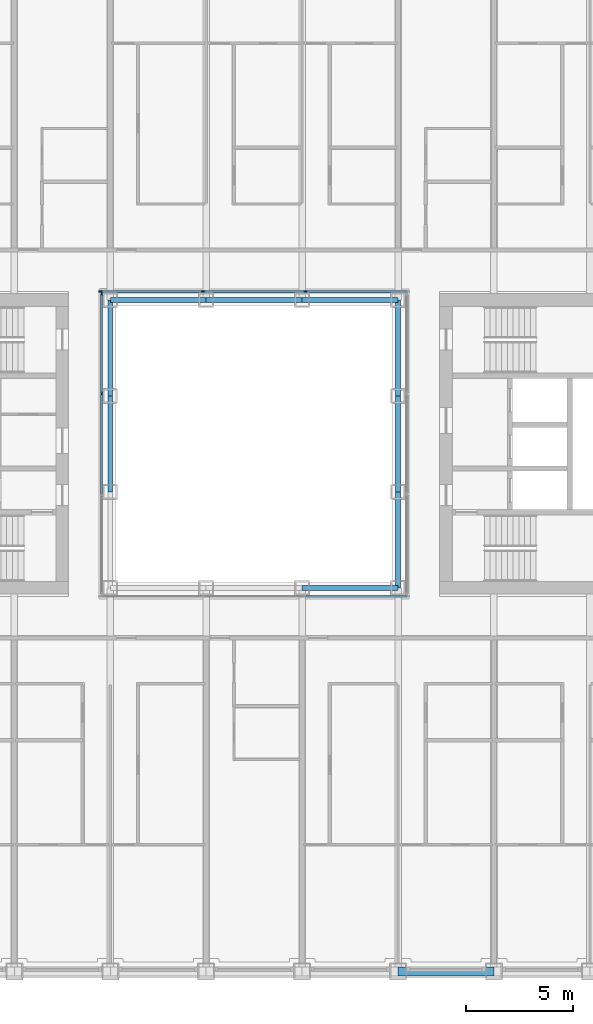
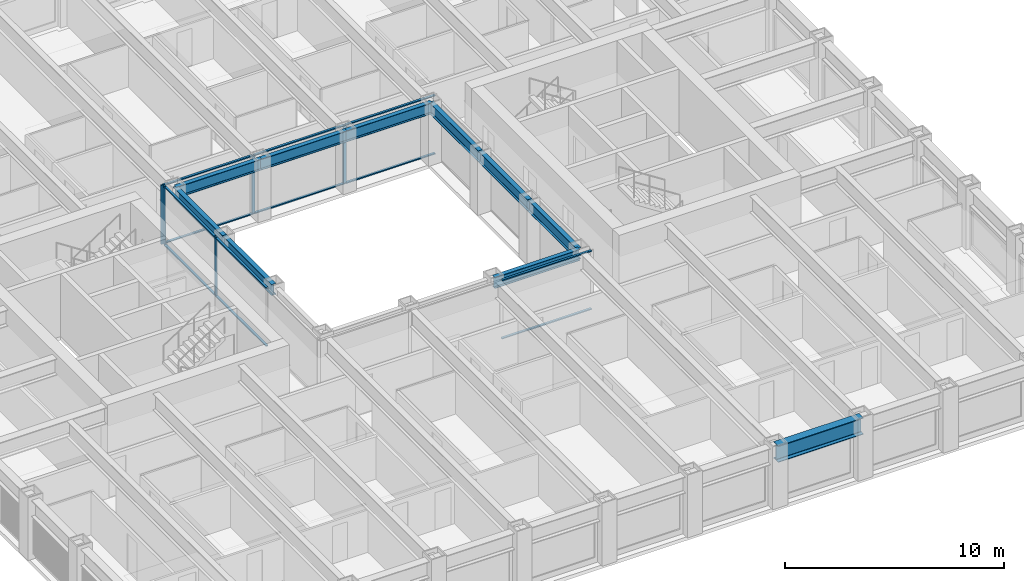
# One storey, part 4 of 20: 17 members, 10 beams, 3 elements without a shape of their own.
"""IFC4 building model written with IfcOpenShell, lengths in metres."""

from ifc_helpers import new_model, si_unit, direction, frame, origin, origin_2d, place, context, subcontext, project, spatial, rectangle, i_section, extrude, material, material_profile, profile_set, type_object, element, aggregate, save


model = new_model("IFC4")

# Units and contexts
model_context = context("Model", 3, precision=1e-05, world=origin(), true_north=direction((0.0, 1.0)))
body_context = subcontext(model_context, "Body", "Model", "MODEL_VIEW")
ifc_project = project(units=[si_unit("LENGTHUNIT", "METRE"), si_unit("AREAUNIT", "SQUARE_METRE"), si_unit("VOLUMEUNIT", "CUBIC_METRE"), si_unit("PLANEANGLEUNIT", "RADIAN"), si_unit("MASSUNIT", "GRAM", prefix="KILO")], contexts=[model_context])

# Site, building, storey
site_placement = place(None, origin())
site = spatial("IfcSite", under=ifc_project, at=site_placement, CompositionType="ELEMENT")
building_placement = place(site_placement, origin())
building = spatial("IfcBuilding", under=site, at=building_placement, Name="Msasa Ring Tower", CompositionType="ELEMENT")
storey_placement = place(building_placement, frame((0.0, 0.0, 65.0)))
storey = spatial("IfcBuildingStorey", under=building, at=storey_placement, Name="L16", CompositionType="ELEMENT", Elevation=65.0)

# Curtain wall, members
ifc_material_1 = material(Name="Aluminium curtain wall with clear glass", Category="aluminium")
curtain_wall_type = type_object("IfcCurtainWallType", Name="CW-W LIGHT WELL CURTAIN WALL", PredefinedType="NOTDEFINED", material=ifc_material_1)
curtain_wall_1_placement = place(storey_placement, origin())
curtain_wall_1 = element("IfcCurtainWall", 1, at=curtain_wall_1_placement, inside=storey, type_object=curtain_wall_type, Name="Light well curtain wall N L16", PredefinedType="NOTDEFINED")
ifc_material_2 = material(Name="Aluminium mullion", Category="aluminium")
ifc_material_profile_1 = material_profile(ifc_material_2, rectangle(XDim=0.06005859375, YDim=0.159912109375, at=origin_2d()), Name="AL 60x160")
ifc_profile_set_1 = profile_set([ifc_material_profile_1], Name="Aluminium mullion")
member_type_1 = type_object("IfcMemberType", Name="CW-W MULLION 60x160", PredefinedType="MULLION", material=ifc_profile_set_1)
member_1_placement = place(storey_placement, frame((-7.199951171875, 7.14990234375, 0.0), z_axis=(0.0, 0.0, 1.0), x_axis=(0.0, 1.0, 0.0)))
member_1 = element("IfcMember", 2, at=member_1_placement, type_object=member_type_1, Name="CW-W mullion 1", PredefinedType="MULLION", context=body_context, shape_type="SweptSolid", body=[
    extrude(rectangle(XDim=0.06005859375, YDim=0.159912109375, at=origin_2d()), origin(), (0.0, 0.0, 1.0), 3.300048828125),
])
member_2_placement = place(storey_placement, frame((-2.409912109375, 7.14990234375, 0.0), z_axis=(0.0, 0.0, 1.0), x_axis=(0.0, 1.0, 0.0)))
member_2 = element("IfcMember", 3, at=member_2_placement, type_object=member_type_1, Name="CW-W mullion 2", PredefinedType="MULLION", context=body_context, shape_type="SweptSolid", body=[
    extrude(rectangle(XDim=0.06005859375, YDim=0.159912109375, at=origin_2d()), origin(), (0.0, 0.0, 1.0), 3.300048828125),
])
member_3_placement = place(storey_placement, frame((2.409912109375, 7.14990234375, 0.0), z_axis=(0.0, 0.0, 1.0), x_axis=(0.0, 1.0, 0.0)))
member_3 = element("IfcMember", 4, at=member_3_placement, type_object=member_type_1, Name="CW-W mullion 3", PredefinedType="MULLION", context=body_context, shape_type="SweptSolid", body=[
    extrude(rectangle(XDim=0.06005859375, YDim=0.159912109375, at=origin_2d()), origin(), (0.0, 0.0, 1.0), 3.300048828125),
])

curtain_wall_2_placement = place(storey_placement, origin())
curtain_wall_2 = element("IfcCurtainWall", 5, at=curtain_wall_2_placement, inside=storey, type_object=curtain_wall_type, Name="Light well curtain wall W L16", PredefinedType="NOTDEFINED")
member_4_placement = place(storey_placement, frame((-7.14990234375, 2.356689453125, 0.0), z_axis=(0.0, 0.0, 1.0), x_axis=(-1.0, 0.0, 0.0)))
member_4 = element("IfcMember", 6, at=member_4_placement, type_object=member_type_1, Name="CW-W mullion 3", PredefinedType="MULLION", context=body_context, shape_type="SweptSolid", body=[
    extrude(rectangle(XDim=0.06005859375, YDim=0.159912109375, at=origin_2d()), origin(), (0.0, 0.0, 1.0), 3.300048828125),
])
member_5_placement = place(storey_placement, frame((-7.14990234375, 7.0400390625, 0.0), z_axis=(0.0, 0.0, 1.0), x_axis=(-1.0, 0.0, 0.0)))
member_5 = element("IfcMember", 7, at=member_5_placement, type_object=member_type_1, Name="CW-W mullion 4", PredefinedType="MULLION", context=body_context, shape_type="SweptSolid", body=[
    extrude(rectangle(XDim=0.06005859375, YDim=0.159912109375, at=origin_2d()), origin(), (0.0, 0.0, 1.0), 3.300048828125),
])

# Member
ifc_material_3 = material(Name="Aluminium transom", Category="aluminium")
ifc_material_profile_2 = material_profile(ifc_material_3, rectangle(XDim=0.1201171875, YDim=0.06005859375, at=origin_2d()), Name="AL 60x120")
ifc_profile_set_2 = profile_set([ifc_material_profile_2], Name="Aluminium transom")
member_type_2 = type_object("IfcMemberType", Name="CW-W TRANSOM 60x120", PredefinedType="USERDEFINED", material=ifc_profile_set_2)
member_6_placement = place(storey_placement, frame((-7.169921875, 7.14990234375, 0.030029296875), z_axis=(1.0, 0.0, 0.0), x_axis=(0.0, 1.0, 0.0)))
member_6 = element("IfcMember", 8, at=member_6_placement, type_object=member_type_2, Name="CW-W transom 1.1", ObjectType="TRANSOM", PredefinedType="USERDEFINED", context=body_context, shape_type="SweptSolid", body=[
    extrude(rectangle(XDim=0.1201171875, YDim=0.06005859375, at=origin_2d()), origin(), (0.0, 0.0, 1.0), 4.72998046875),
])

member_7_placement = place(storey_placement, frame((-7.169921875, 7.14990234375, 3.27001953125), z_axis=(1.0, 0.0, 0.0), x_axis=(0.0, 1.0, 0.0)))
member_7 = element("IfcMember", 9, at=member_7_placement, type_object=member_type_2, Name="CW-W transom 1.2", ObjectType="TRANSOM", PredefinedType="USERDEFINED", context=body_context, shape_type="SweptSolid", body=[
    extrude(rectangle(XDim=0.1201171875, YDim=0.06005859375, at=origin_2d()), origin(), (0.0, 0.0, 1.0), 4.72998046875),
])

member_8_placement = place(storey_placement, frame((-2.3798828125, 7.14990234375, 0.030029296875), z_axis=(1.0, 0.0, 0.0), x_axis=(0.0, 1.0, 0.0)))
member_8 = element("IfcMember", 10, at=member_8_placement, type_object=member_type_2, Name="CW-W transom 2.1", ObjectType="TRANSOM", PredefinedType="USERDEFINED", context=body_context, shape_type="SweptSolid", body=[
    extrude(rectangle(XDim=0.1201171875, YDim=0.06005859375, at=origin_2d()), origin(), (0.0, 0.0, 1.0), 4.759765625),
])

member_9_placement = place(storey_placement, frame((-2.3798828125, 7.14990234375, 3.27001953125), z_axis=(1.0, 0.0, 0.0), x_axis=(0.0, 1.0, 0.0)))
member_9 = element("IfcMember", 11, at=member_9_placement, type_object=member_type_2, Name="CW-W transom 2.2", ObjectType="TRANSOM", PredefinedType="USERDEFINED", context=body_context, shape_type="SweptSolid", body=[
    extrude(rectangle(XDim=0.1201171875, YDim=0.06005859375, at=origin_2d()), origin(), (0.0, 0.0, 1.0), 4.759765625),
])

member_10_placement = place(storey_placement, frame((2.43994140625, 7.14990234375, 0.030029296875), z_axis=(1.0, 0.0, 0.0), x_axis=(0.0, 1.0, 0.0)))
member_10 = element("IfcMember", 12, at=member_10_placement, type_object=member_type_2, Name="CW-W transom 3.1", ObjectType="TRANSOM", PredefinedType="USERDEFINED", context=body_context, shape_type="SweptSolid", body=[
    extrude(rectangle(XDim=0.1201171875, YDim=0.06005859375, at=origin_2d()), origin(), (0.0, 0.0, 1.0), 4.72998046875),
])

member_11_placement = place(storey_placement, frame((2.43994140625, 7.14990234375, 3.27001953125), z_axis=(1.0, 0.0, 0.0), x_axis=(0.0, 1.0, 0.0)))
member_11 = element("IfcMember", 13, at=member_11_placement, type_object=member_type_2, Name="CW-W transom 3.2", ObjectType="TRANSOM", PredefinedType="USERDEFINED", context=body_context, shape_type="SweptSolid", body=[
    extrude(rectangle(XDim=0.1201171875, YDim=0.06005859375, at=origin_2d()), origin(), (0.0, 0.0, 1.0), 4.72998046875),
])

aggregate(curtain_wall_1, [member_1, member_2, member_3, member_6, member_7, member_8, member_9, member_10, member_11])

# Curtain wall, members
curtain_wall_3_placement = place(storey_placement, origin())
curtain_wall_3 = element("IfcCurtainWall", 14, at=curtain_wall_3_placement, inside=storey, type_object=curtain_wall_type, Name="Light well curtain wall S L16", PredefinedType="NOTDEFINED")
member_12_placement = place(storey_placement, frame((2.43994140625, -7.14990234375, 0.030029296875), z_axis=(1.0, 0.0, 0.0), x_axis=(0.0, 1.0, 0.0)))
member_12 = element("IfcMember", 15, at=member_12_placement, type_object=member_type_2, Name="CW-W transom 3.1", ObjectType="TRANSOM", PredefinedType="USERDEFINED", context=body_context, shape_type="SweptSolid", body=[
    extrude(rectangle(XDim=0.1201171875, YDim=0.06005859375, at=origin_2d()), origin(), (0.0, 0.0, 1.0), 4.72998046875),
])
member_13_placement = place(storey_placement, frame((2.43994140625, -7.14990234375, 3.27001953125), z_axis=(1.0, 0.0, 0.0), x_axis=(0.0, 1.0, 0.0)))
member_13 = element("IfcMember", 16, at=member_13_placement, type_object=member_type_2, Name="CW-W transom 3.2", ObjectType="TRANSOM", PredefinedType="USERDEFINED", context=body_context, shape_type="SweptSolid", body=[
    extrude(rectangle(XDim=0.1201171875, YDim=0.06005859375, at=origin_2d()), origin(), (0.0, 0.0, 1.0), 4.72998046875),
])
aggregate(curtain_wall_3, [member_12, member_13])

# Member
member_14_placement = place(storey_placement, frame((-7.14990234375, -2.32666015625, 0.030029296875), z_axis=(0.0, 1.0, 0.0), x_axis=(-1.0, 0.0, 0.0)))
member_14 = element("IfcMember", 17, at=member_14_placement, type_object=member_type_2, Name="CW-W transom 2.1", ObjectType="TRANSOM", PredefinedType="USERDEFINED", context=body_context, shape_type="SweptSolid", body=[
    extrude(rectangle(XDim=0.1201171875, YDim=0.06005859375, at=origin_2d()), origin(), (0.0, 0.0, 1.0), 4.6533203125),
])

member_15_placement = place(storey_placement, frame((-7.14990234375, -2.32666015625, 3.27001953125), z_axis=(0.0, 1.0, 0.0), x_axis=(-1.0, 0.0, 0.0)))
member_15 = element("IfcMember", 18, at=member_15_placement, type_object=member_type_2, Name="CW-W transom 2.2", ObjectType="TRANSOM", PredefinedType="USERDEFINED", context=body_context, shape_type="SweptSolid", body=[
    extrude(rectangle(XDim=0.1201171875, YDim=0.06005859375, at=origin_2d()), origin(), (0.0, 0.0, 1.0), 4.6533203125),
])

member_16_placement = place(storey_placement, frame((-7.14990234375, 2.38671875, 0.030029296875), z_axis=(0.0, 1.0, 0.0), x_axis=(-1.0, 0.0, 0.0)))
member_16 = element("IfcMember", 19, at=member_16_placement, type_object=member_type_2, Name="CW-W transom 3.1", ObjectType="TRANSOM", PredefinedType="USERDEFINED", context=body_context, shape_type="SweptSolid", body=[
    extrude(rectangle(XDim=0.1201171875, YDim=0.06005859375, at=origin_2d()), origin(), (0.0, 0.0, 1.0), 4.623291015625),
])

member_17_placement = place(storey_placement, frame((-7.14990234375, 2.38671875, 3.27001953125), z_axis=(0.0, 1.0, 0.0), x_axis=(-1.0, 0.0, 0.0)))
member_17 = element("IfcMember", 20, at=member_17_placement, type_object=member_type_2, Name="CW-W transom 3.2", ObjectType="TRANSOM", PredefinedType="USERDEFINED", context=body_context, shape_type="SweptSolid", body=[
    extrude(rectangle(XDim=0.1201171875, YDim=0.06005859375, at=origin_2d()), origin(), (0.0, 0.0, 1.0), 4.623291015625),
])

aggregate(curtain_wall_2, [member_4, member_5, member_14, member_15, member_16, member_17])

# Beams
ifc_material_4 = material(Name="Steel S355", Category="steel")
ifc_material_profile_3 = material_profile(ifc_material_4, i_section(OverallWidth=0.230224609375, OverallDepth=0.6171875, WebThickness=0.01318359375, FlangeThickness=0.022216796875, FilletRadius=0.0126953125, at=origin_2d()), Name="UB 610x229x140")
ifc_profile_set_3 = profile_set([ifc_material_profile_3], Name="Steel S355")
beam_type_1 = type_object("IfcBeamType", Name="RB1 UB 610x229x140", PredefinedType="BEAM", material=ifc_profile_set_3)
for number, where, z_axis, x_axis, name in (
    (21, (2.25, -6.75, 2.991455078125), (1.0, 0.0, 0.0), (0.0, 1.0, 0.0), "Inner ring beam IR+2.25-6.75 under L17"),
    (22, (6.75, -6.75, 2.991455078125), (0.0, 1.0, 0.0), (-1.0, 0.0, 0.0), "Inner ring beam IR+6.75-6.75 under L17"),
    (23, (6.75, -2.25, 2.991455078125), (0.0, 1.0, 0.0), (-1.0, 0.0, 0.0), "Inner ring beam IR+6.75-2.25 under L17"),
    (24, (6.75, 2.25, 2.991455078125), (0.0, 1.0, 0.0), (-1.0, 0.0, 0.0), "Inner ring beam IR+6.75+2.25 under L17"),
    (25, (6.75, 6.75, 2.991455078125), (-1.0, 0.0, 0.0), (0.0, -1.0, 0.0), "Inner ring beam IR+6.75+6.75 under L17"),
    (26, (2.25, 6.75, 2.991455078125), (-1.0, 0.0, 0.0), (0.0, -1.0, 0.0), "Inner ring beam IR+2.25+6.75 under L17"),
    (27, (-2.25, 6.75, 2.991455078125), (-1.0, 0.0, 0.0), (0.0, -1.0, 0.0), "Inner ring beam IR-2.25+6.75 under L17"),
    (28, (-6.75, 6.75, 2.991455078125), (0.0, -1.0, 0.0), (1.0, 0.0, 0.0), "Inner ring beam IR-6.75+6.75 under L17"),
    (29, (-6.75, 2.25, 2.991455078125), (0.0, -1.0, 0.0), (1.0, 0.0, 0.0), "Inner ring beam IR-6.75+2.25 under L17"),
):
    element("IfcBeam", number, at=place(storey_placement, frame(where, z_axis=z_axis, x_axis=x_axis)), inside=storey, type_object=beam_type_1, Name=name, PredefinedType="BEAM", context=body_context, shape_type="SweptSolid", body=[
        extrude(i_section(OverallWidth=0.230224609375, OverallDepth=0.6171875, WebThickness=0.01318359375, FlangeThickness=0.022216796875, FilletRadius=0.0126953125, at=origin_2d()), origin(), (0.0, 0.0, 1.0), 4.5),
    ])
ifc_material_5 = material(Name="Steel S355", Category="steel")
ifc_material_profile_4 = material_profile(ifc_material_5, i_section(OverallWidth=0.42041015625, OverallDepth=0.9208984375, WebThickness=0.021484375, FlangeThickness=0.03662109375, FilletRadius=0.024169921875, at=origin_2d()), Name="UB 914x419x388")
ifc_profile_set_4 = profile_set([ifc_material_profile_4], Name="Steel S355")
beam_type_2 = type_object("IfcBeamType", Name="SB1 UB 914x419x388", PredefinedType="SPANDREL", material=ifc_profile_set_4)
beam_placement = place(storey_placement, frame((6.75, -24.75, 2.839599609375), z_axis=(1.0, 0.0, 0.0), x_axis=(0.0, 1.0, 0.0)))
element("IfcBeam", 30, at=beam_placement, inside=storey, type_object=beam_type_2, Name="Spandrel S+6.75 to S+11.25 under L17", PredefinedType="SPANDREL", context=body_context, shape_type="SweptSolid", body=[
    extrude(i_section(OverallWidth=0.42041015625, OverallDepth=0.9208984375, WebThickness=0.021484375, FlangeThickness=0.03662109375, FilletRadius=0.024169921875, at=origin_2d()), origin(), (0.0, 0.0, 1.0), 4.5),
])

save(model, "model.ifc")
